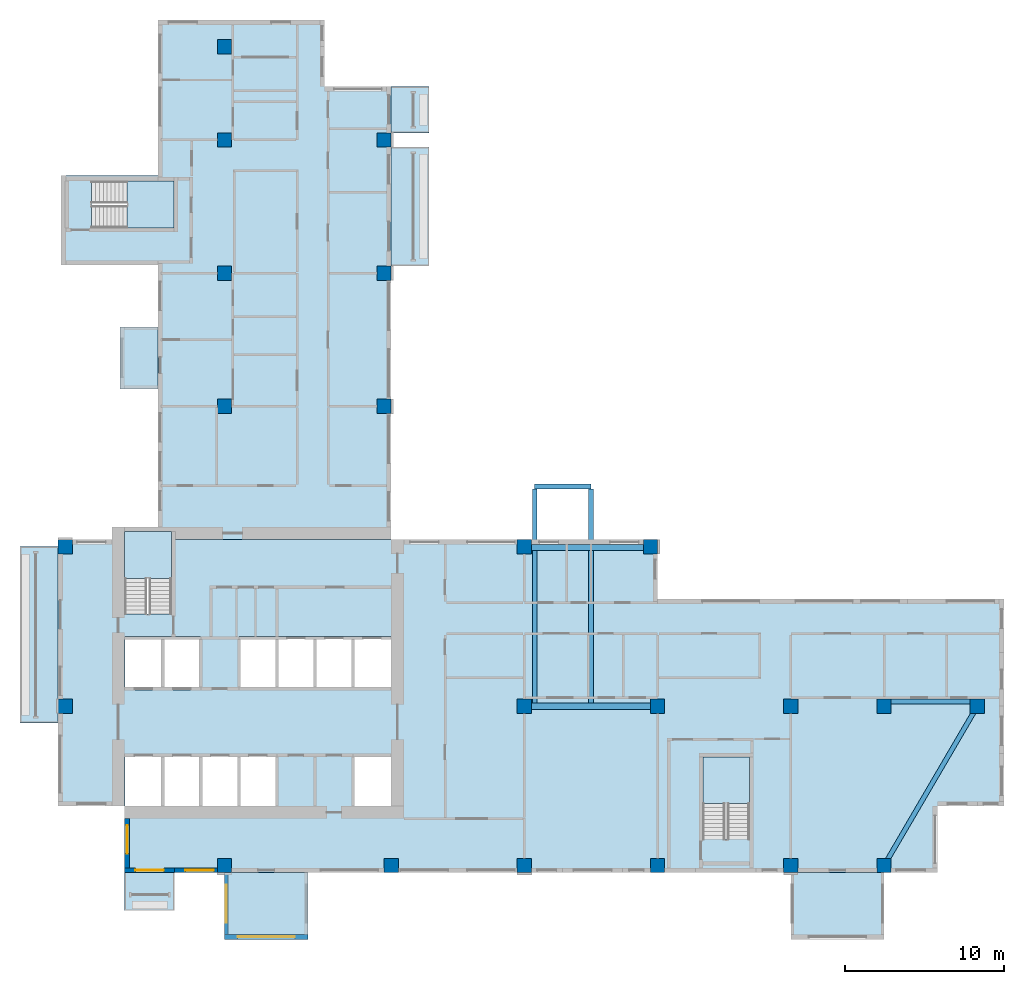
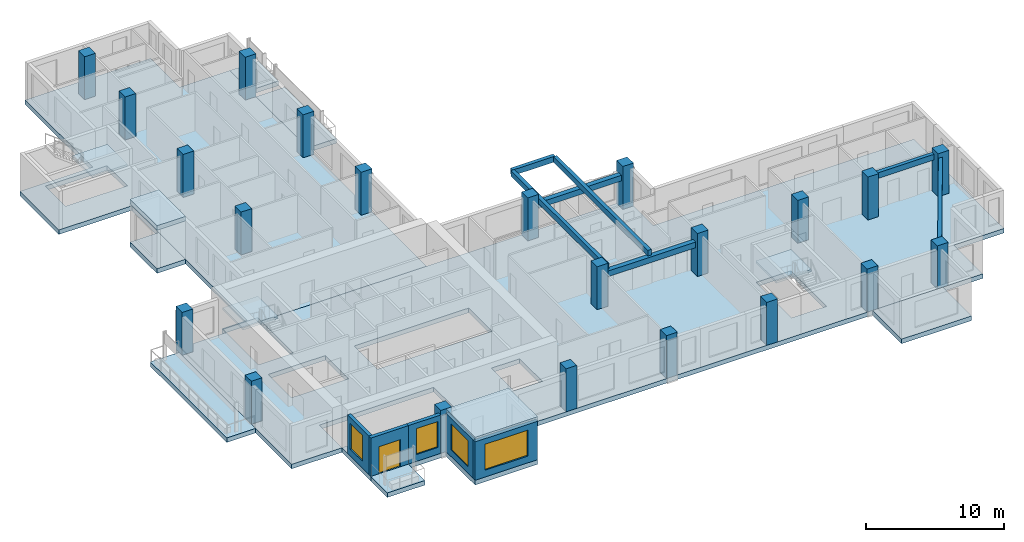
# One storey, part 1 of 12: 22 columns, 14 slabs, 5 beams, 5 walls, 4 windows, 2 members, 1 door, 5 openings, 3 elements without a shape of their own.
"""IFC4 building model written with IfcOpenShell, lengths in metres."""

from ifc_helpers import new_model, si_unit, direction, frame, frame_2d, origin, origin_2d, place, context, subcontext, project, spatial, polyline, rectangle, outline, extrude, source, transform, mapped, material, layer, layer_set, material_profile, profile_set, type_object, element, fill, aggregate, save


model = new_model("IFC4")

# Units and contexts
model_context = context("Model", 3, precision=1e-05, world=origin(), true_north=direction((0.0, 1.0)))
body_context = subcontext(model_context, "Body", "Model", "MODEL_VIEW")
ifc_project = project(units=[si_unit("LENGTHUNIT", "METRE"), si_unit("AREAUNIT", "SQUARE_METRE"), si_unit("VOLUMEUNIT", "CUBIC_METRE"), si_unit("PLANEANGLEUNIT", "RADIAN"), si_unit("MASSUNIT", "GRAM", prefix="KILO")], contexts=[model_context])

# Site, building, storey
site_placement = place(None, origin())
site = spatial("IfcSite", under=ifc_project, at=site_placement, CompositionType="ELEMENT")
building_placement = place(site_placement, origin())
building = spatial("IfcBuilding", under=site, at=building_placement, Name="Aurelian Terraces", CompositionType="ELEMENT")
storey_placement = place(building_placement, frame((0.0, 0.0, 200.6)))
storey = spatial("IfcBuildingStorey", under=building, at=storey_placement, Name="L44", CompositionType="ELEMENT", Elevation=200.6)

# Columns
ifc_material_1 = material(Name="Concrete fc' 70 MPa", Category="concrete")
ifc_material_profile_1 = material_profile(ifc_material_1, rectangle(XDim=0.9, YDim=0.9, at=origin_2d()))
ifc_profile_set_1 = profile_set([ifc_material_profile_1], Name="Concrete fc' 70 MPa")
column_type = type_object("IfcColumnType", Name="RC COLUMN 900X900 FC70", PredefinedType="COLUMN", material=ifc_profile_set_1)
shared_shape_1 = source(origin(), body_context, "Body", "SweptSolid", [
    extrude(rectangle(XDim=0.9, YDim=0.9, at=origin_2d()), origin(), (0.0, 0.0, 1.0), 3.8),
])
for number, where, z_axis, x_axis, name in (
    (1, (10.5, 0.45, 0.0), (0.0, 0.0, 1.0), (1.0, 0.0, 0.0), "Column 2/A L44"),
    (2, (21.0, 0.45, 0.0), (0.0, 0.0, 1.0), (1.0, 0.0, 0.0), "Column 3/A L44"),
    (3, (29.4, 0.45, 0.0), (0.0, 0.0, 1.0), (1.0, 0.0, 0.0), "Column 4/A L44"),
    (4, (37.8, 0.45, 0.0), (0.0, 0.0, 1.0), (1.0, 0.0, 0.0), "Column 5/A L44"),
    (5, (46.2, 0.45, 0.0), (0.0, 0.0, 1.0), (1.0, 0.0, 0.0), "Column 6/A L44"),
    (6, (52.08, 0.45, 0.0), (0.0, 0.0, 1.0), (1.0, 0.0, 0.0), "Column 7/A L44"),
    (7, (0.45, 10.5, 0.0), (0.0, 0.0, 1.0), (1.0, 0.0, 0.0), "Column 1/B L44"),
    (8, (29.4, 10.5, 0.0), (0.0, 0.0, 1.0), (1.0, 0.0, 0.0), "Column 4/B L44"),
    (9, (37.8, 10.5, 0.0), (0.0, 0.0, 1.0), (1.0, 0.0, 0.0), "Column 5/B L44"),
    (10, (46.2, 10.5, 0.0), (0.0, 0.0, 1.0), (1.0, 0.0, 0.0), "Column 6/B L44"),
    (11, (52.08, 10.5, 0.0), (0.0, 0.0, 1.0), (1.0, 0.0, 0.0), "Column 7/B L44"),
    (12, (57.96, 10.5, 0.0), (0.0, 0.0, 1.0), (1.0, 0.0, 0.0), "Column 8/B L44"),
    (13, (0.45, 20.55, 0.0), (0.0, 0.0, 1.0), (1.0, 0.0, 0.0), "Column 1/C L44"),
    (14, (29.4, 20.55, 0.0), (0.0, 0.0, 1.0), (1.0, 0.0, 0.0), "Column 4/C L44"),
    (15, (37.35, 20.55, 0.0), (0.0, 0.0, 1.0), (1.0, 0.0, 0.0), "Column 5/C L44"),
    (16, (10.5, 29.4, 0.0), (0.0, 0.0, 1.0), (1.0, 0.0, 0.0), "Column 2/D L44"),
    (17, (20.55, 29.4, 0.0), (0.0, 0.0, 1.0), (1.0, 0.0, 0.0), "Column 3/D L44"),
    (18, (10.5, 37.8, 0.0), (0.0, 0.0, 1.0), (1.0, 0.0, 0.0), "Column 2/E L44"),
    (19, (20.55, 37.8, 0.0), (0.0, 0.0, 1.0), (1.0, 0.0, 0.0), "Column 3/E L44"),
    (20, (10.5, 46.2, 0.0), (0.0, 0.0, 1.0), (1.0, 0.0, 0.0), "Column 2/F L44"),
    (21, (20.55, 46.2, 0.0), (0.0, 0.0, 1.0), (1.0, 0.0, 0.0), "Column 3/F L44"),
    (22, (10.5, 52.08, 0.0), (0.0, 0.0, 1.0), (1.0, 0.0, 0.0), "Column 2/G L44"),
):
    element("IfcColumn", number, at=place(storey_placement, frame(where, z_axis=z_axis, x_axis=x_axis)), inside=storey, type_object=column_type, Name=name, PredefinedType="COLUMN", context=body_context, shape_type="MappedRepresentation", body=[
        mapped(shared_shape_1, transform((0.0, 0.0, 0.0), scale=1.0)),
    ])

# Members
ifc_material_2 = material(Name="Concrete fc' 40 MPa", Category="concrete")
ifc_material_profile_2 = material_profile(ifc_material_2, rectangle(XDim=0.3, YDim=0.5, at=origin_2d()))
ifc_profile_set_2 = profile_set([ifc_material_profile_2], Name="Concrete fc' 40 MPa")
member_type = type_object("IfcMemberType", Name="CONCRETE EDGE BEAM 300X500", PredefinedType="MEMBER", material=ifc_profile_set_2)
member_1_placement = place(storey_placement, frame((57.51, 10.8, 3.15), z_axis=(-1.0, 0.0, 0.0), x_axis=(0.0, -1.0, 0.0)))
element("IfcMember", 23, at=member_1_placement, inside=storey, type_object=member_type, Name="Terrace edge member L45-X1", PredefinedType="MEMBER", context=body_context, shape_type="SweptSolid", body=[
    extrude(rectangle(XDim=0.3, YDim=0.5, at=origin_2d()), origin(), (0.0, 0.0, 1.0), 4.98),
])
member_2_placement = place(storey_placement, frame((57.7328, 10.1116, 3.15), z_axis=(-0.504997935879, -0.863120550536, 0.0), x_axis=(0.863120550536, -0.504997935879, 0.0)))
element("IfcMember", 24, at=member_2_placement, inside=storey, type_object=member_type, Name="Terrace edge member L45-X1.2", PredefinedType="MEMBER", context=body_context, shape_type="SweptSolid", body=[
    extrude(rectangle(XDim=0.3, YDim=0.5, at=origin_2d()), origin(), (0.0, 0.0, 1.0), 10.7438),
])

# Beams
ifc_material_profile_3 = material_profile(ifc_material_2, rectangle(XDim=0.3, YDim=0.5, at=origin_2d()))
ifc_profile_set_3 = profile_set([ifc_material_profile_3], Name="Concrete fc' 40 MPa")
beam_type_1 = type_object("IfcBeamType", Name="CONCRETE CANTILEVER BEAM 300X500", PredefinedType="BEAM", material=ifc_profile_set_3)
shared_shape_2 = source(origin(), body_context, "Body", "SweptSolid", [
    extrude(rectangle(XDim=0.3, YDim=0.5, at=origin_2d()), origin(), (0.0, 0.0, 1.0), 13.7),
])
for number, where, z_axis, x_axis, name in (
    (25, (30.05, 24.2, 3.15), (0.0, -1.0, 0.0), (1.0, 0.0, 0.0), "Box cantilever beam J63.1"),
    (26, (33.6, 24.2, 3.15), (0.0, -1.0, 0.0), (1.0, 0.0, 0.0), "Box cantilever beam J63.2"),
):
    element("IfcBeam", number, at=place(storey_placement, frame(where, z_axis=z_axis, x_axis=x_axis)), inside=storey, type_object=beam_type_1, Name=name, PredefinedType="BEAM", context=body_context, shape_type="MappedRepresentation", body=[
        mapped(shared_shape_2, transform((0.0, 0.0, 0.0), scale=1.0)),
    ])
ifc_material_profile_4 = material_profile(ifc_material_2, rectangle(XDim=0.4, YDim=0.5, at=origin_2d()))
ifc_profile_set_4 = profile_set([ifc_material_profile_4], Name="Concrete fc' 40 MPa")
beam_type_2 = type_object("IfcBeamType", Name="CONCRETE EDGE GIRDER 400X500", PredefinedType="BEAM", material=ifc_profile_set_4)
shared_shape_3 = source(origin(), body_context, "Body", "SweptSolid", [
    extrude(rectangle(XDim=0.4, YDim=0.5, at=origin_2d()), origin(), (0.0, 0.0, 1.0), 7.5),
])
beam_1_placement = place(storey_placement, frame((29.85, 10.5, 2.65), z_axis=(1.0, 0.0, 0.0), x_axis=(0.0, 1.0, 0.0)))
element("IfcBeam", 27, at=beam_1_placement, inside=storey, type_object=beam_type_2, Name="Box girder L44 I129", PredefinedType="BEAM", context=body_context, shape_type="MappedRepresentation", body=[
    mapped(shared_shape_3, transform((0.0, 0.0, 0.0), scale=1.0)),
])
shared_shape_4 = source(origin(), body_context, "Body", "SweptSolid", [
    extrude(rectangle(XDim=0.3, YDim=0.5, at=origin_2d()), origin(), (0.0, 0.0, 1.0), 3.55),
])
beam_2_placement = place(storey_placement, frame((30.05, 24.35, 3.15), z_axis=(1.0, 0.0, 0.0), x_axis=(0.0, 1.0, 0.0)))
element("IfcBeam", 28, at=beam_2_placement, inside=storey, type_object=beam_type_1, Name="Box tip beam J63", PredefinedType="BEAM", context=body_context, shape_type="MappedRepresentation", body=[
    mapped(shared_shape_4, transform((0.0, 0.0, 0.0), scale=1.0)),
])
shared_shape_5 = source(origin(), body_context, "Body", "SweptSolid", [
    extrude(rectangle(XDim=0.4, YDim=0.5, at=origin_2d()), origin(), (0.0, 0.0, 1.0), 7.05),
])
beam_3_placement = place(storey_placement, frame((29.85, 20.5, 2.65), z_axis=(1.0, 0.0, 0.0), x_axis=(0.0, 1.0, 0.0)))
element("IfcBeam", 29, at=beam_3_placement, inside=storey, type_object=beam_type_2, Name="Box girder L44 O128", PredefinedType="BEAM", context=body_context, shape_type="MappedRepresentation", body=[
    mapped(shared_shape_5, transform((0.0, 0.0, 0.0), scale=1.0)),
])

# Slabs
ifc_layer_1 = layer(ifc_material_2, 0.4)
ifc_layer_set_1 = layer_set([ifc_layer_1], Name="Balcony slab 400")
slab_type_1 = type_object("IfcSlabType", Name="Balcony slab 400", PredefinedType="NOTDEFINED", material=ifc_layer_set_1)
slab_1_placement = place(storey_placement, frame((0.0, 0.0, -0.4)))
element("IfcSlab", 30, at=slab_1_placement, inside=storey, type_object=slab_type_1, Name="Balcony slab L44 F08.21", PredefinedType="NOTDEFINED", context=body_context, shape_type="SweptSolid", body=[
    extrude(outline(polyline([(21.0, 38.25), (21.0, 45.75), (23.4, 45.75), (23.4, 38.25), (21.0, 38.25)])), origin(), (0.0, 0.0, 1.0), 0.4),
])
ifc_layer_2 = layer(ifc_material_2, 0.4)
ifc_layer_set_2 = layer_set([ifc_layer_2], Name="PT FLAT PLATE 400")
slab_type_2 = type_object("IfcSlabType", Name="PT FLAT PLATE 400", PredefinedType="FLOOR", material=ifc_layer_set_2)
shared_shape_6 = source(origin(), body_context, "Body", "SweptSolid", [
    extrude(outline(polyline([(0.2, 43.95), (6.3, 43.95), (6.3, 49.56), (6.3, 53.76), (10.5, 53.76), (16.8, 53.76), (16.8, 49.56), (21.0, 49.56), (21.0, 21.0), (7.14, 21.0), (7.14, 21.49), (4.21, 21.49), (4.21, 21.0), (4.2, 21.0), (4.2, 21.6), (6.3, 21.6), (6.3, 38.3), (0.2, 38.3), (0.2, 43.95)]), holes=[polyline([(7.29, 43.59), (2.11, 43.59), (2.11, 40.66), (7.29, 40.66), (7.29, 43.59)])]), origin(), (0.0, 0.0, 1.0), 0.4),
])
slab_2_placement = place(storey_placement, frame((0.0, 0.0, -0.4)))
element("IfcSlab", 31, at=slab_2_placement, inside=storey, type_object=slab_type_2, Name="Floor slab W L44", PredefinedType="FLOOR", context=body_context, shape_type="MappedRepresentation", body=[
    mapped(shared_shape_6, transform((0.0, 0.0, 0.0), scale=1.0)),
])
shared_shape_7 = source(origin(), body_context, "Body", "SweptSolid", [
    extrude(outline(polyline([(59.64, 4.2), (55.44, 4.2), (55.44, 0.0), (21.0, 0.0), (4.2, 0.0), (4.2, 4.2), (0.0, 4.2), (0.0, 21.0), (4.21, 21.0), (4.21, 16.31), (7.14, 16.31), (7.14, 21.0), (21.0, 21.0), (37.8, 21.0), (37.8, 17.25), (55.44, 17.25), (59.64, 17.25), (59.64, 16.8), (59.64, 16.65), (59.64, 4.2)]), holes=[polyline([(40.66, 2.11), (43.59, 2.11), (43.59, 7.29), (40.66, 7.29), (40.66, 2.11)]), polyline([(18.61, 7.49), (18.61, 4.21), (20.99, 4.21), (20.99, 7.49), (18.61, 7.49)]), polyline([(20.99, 14.89), (11.41, 14.89), (11.41, 11.51), (20.99, 11.51), (20.99, 14.89)]), polyline([(4.21, 7.49), (4.21, 4.21), (13.79, 4.21), (13.79, 7.49), (4.21, 7.49)]), polyline([(4.21, 14.89), (4.21, 11.51), (8.99, 11.51), (8.99, 14.89), (4.21, 14.89)])]), origin(), (0.0, 0.0, 1.0), 0.4),
])
slab_3_placement = place(storey_placement, frame((0.0, 0.0, -0.4)))
element("IfcSlab", 32, at=slab_3_placement, inside=storey, type_object=slab_type_2, Name="Floor slab S L44", PredefinedType="FLOOR", context=body_context, shape_type="MappedRepresentation", body=[
    mapped(shared_shape_7, transform((0.0, 0.0, 0.0), scale=1.0)),
])
ifc_layer_3 = layer(ifc_material_2, 0.41)
ifc_layer_set_3 = layer_set([ifc_layer_3], Name="Box floor 410")
slab_type_3 = type_object("IfcSlabType", Name="Box floor 410", PredefinedType="NOTDEFINED", material=ifc_layer_set_3)
shared_shape_8 = source(origin(), body_context, "Body", "SweptSolid", [
    extrude(outline(polyline([(46.2, -4.2), (52.08, -4.2), (52.08, 0.0), (46.2, 0.0), (46.2, -4.2)])), origin(), (0.0, 0.0, 1.0), 0.41),
])
slab_4_placement = place(storey_placement, frame((0.0, 0.0, -0.41)))
element("IfcSlab", 33, at=slab_4_placement, inside=storey, type_object=slab_type_3, Name="Box floor L44 J62", PredefinedType="NOTDEFINED", context=body_context, shape_type="MappedRepresentation", body=[
    mapped(shared_shape_8, transform((0.0, 0.0, 0.0), scale=1.0)),
])
shared_shape_9 = source(origin(), body_context, "Body", "SweptSolid", [
    extrude(outline(polyline([(3.9, 34.4), (3.9, 30.5), (6.3, 30.5), (6.3, 34.4), (3.9, 34.4)])), origin(), (0.0, 0.0, 1.0), 0.41),
])
slab_5_placement = place(storey_placement, frame((0.0, 0.0, -0.41)))
element("IfcSlab", 34, at=slab_5_placement, inside=storey, type_object=slab_type_3, Name="Box floor L44 J61", PredefinedType="NOTDEFINED", context=body_context, shape_type="MappedRepresentation", body=[
    mapped(shared_shape_9, transform((0.0, 0.0, 0.0), scale=1.0)),
])
ifc_layer_4 = layer(ifc_material_2, 0.4)
ifc_layer_set_4 = layer_set([ifc_layer_4], Name="Box roof 400")
slab_type_4 = type_object("IfcSlabType", Name="Box roof 400", PredefinedType="ROOF", material=ifc_layer_set_4)
shared_shape_10 = source(origin(), body_context, "Body", "SweptSolid", [
    extrude(outline(polyline([(3.9, 34.4), (3.9, 30.5), (6.3, 30.5), (6.3, 34.4), (3.9, 34.4)])), origin(), (0.0, 0.0, 1.0), 0.4),
])
slab_6_placement = place(storey_placement, frame((0.0, 0.0, 3.4)))
element("IfcSlab", 35, at=slab_6_placement, inside=storey, type_object=slab_type_4, Name="Box roof J61", PredefinedType="ROOF", context=body_context, shape_type="MappedRepresentation", body=[
    mapped(shared_shape_10, transform((0.0, 0.0, 0.0), scale=1.0)),
])
shared_shape_11 = source(origin(), body_context, "Body", "SweptSolid", [
    extrude(outline(polyline([(10.5, -4.2), (15.75, -4.2), (15.75, 0.0), (10.5, 0.0), (10.5, -4.2)])), origin(), (0.0, 0.0, 1.0), 0.41),
])
slab_7_placement = place(storey_placement, frame((0.0, 0.0, -0.41)))
element("IfcSlab", 36, at=slab_7_placement, inside=storey, type_object=slab_type_3, Name="Box floor L44 J60", PredefinedType="NOTDEFINED", context=body_context, shape_type="MappedRepresentation", body=[
    mapped(shared_shape_11, transform((0.0, 0.0, 0.0), scale=1.0)),
])
shared_shape_12 = source(origin(), body_context, "Body", "SweptSolid", [
    extrude(outline(polyline([(4.2, 0.0), (7.35, 0.0), (7.35, -2.4), (4.2, -2.4), (4.2, 0.0)])), origin(), (0.0, 0.0, 1.0), 0.4),
])
slab_8_placement = place(storey_placement, frame((0.0, 0.0, -0.4)))
element("IfcSlab", 37, at=slab_8_placement, inside=storey, type_object=slab_type_1, Name="Balcony slab L44 F01.1", PredefinedType="NOTDEFINED", context=body_context, shape_type="MappedRepresentation", body=[
    mapped(shared_shape_12, transform((0.0, 0.0, 0.0), scale=1.0)),
])
shared_shape_13 = source(origin(), body_context, "Body", "SweptSolid", [
    extrude(outline(polyline([(21.0, 46.65), (21.0, 49.56), (23.4, 49.56), (23.4, 46.65), (21.0, 46.65)])), origin(), (0.0, 0.0, 1.0), 0.4),
])
slab_9_placement = place(storey_placement, frame((0.0, 0.0, -0.4)))
element("IfcSlab", 38, at=slab_9_placement, inside=storey, type_object=slab_type_1, Name="Balcony slab L44 F08.22", PredefinedType="NOTDEFINED", context=body_context, shape_type="MappedRepresentation", body=[
    mapped(shared_shape_13, transform((0.0, 0.0, 0.0), scale=1.0)),
])
shared_shape_14 = source(origin(), body_context, "Body", "SweptSolid", [
    extrude(outline(polyline([(10.5, -4.2), (15.75, -4.2), (15.75, 0.0), (10.5, 0.0), (10.5, -4.2)])), origin(), (0.0, 0.0, 1.0), 0.4),
])
slab_10_placement = place(storey_placement, frame((0.0, 0.0, 3.4)))
element("IfcSlab", 39, at=slab_10_placement, inside=storey, type_object=slab_type_4, Name="Box roof J60", PredefinedType="ROOF", context=body_context, shape_type="MappedRepresentation", body=[
    mapped(shared_shape_14, transform((0.0, 0.0, 0.0), scale=1.0)),
])
shared_shape_15 = source(origin(), body_context, "Body", "SweptSolid", [
    extrude(outline(polyline([(0.0, 20.55), (0.0, 9.45), (-2.4, 9.45), (-2.4, 20.55), (0.0, 20.55)])), origin(), (0.0, 0.0, 1.0), 0.4),
])
slab_11_placement = place(storey_placement, frame((0.0, 0.0, -0.4)))
element("IfcSlab", 40, at=slab_11_placement, inside=storey, type_object=slab_type_1, Name="Balcony slab L44 F20.35", PredefinedType="NOTDEFINED", context=body_context, shape_type="MappedRepresentation", body=[
    mapped(shared_shape_15, transform((0.0, 0.0, 0.0), scale=1.0)),
])

# Stair, slab
stair_type = type_object("IfcStairType", Name="Stair 1400", PredefinedType="HALF_TURN_STAIR", material=ifc_material_2)
stair_1_placement = place(storey_placement, origin())
stair_1 = element("IfcStair", 41, at=stair_1_placement, inside=storey, type_object=stair_type, Name="L44 S1", PredefinedType="HALF_TURN_STAIR")
ifc_layer_5 = layer(ifc_material_2, 0.2)
ifc_layer_set_5 = layer_set([ifc_layer_5], Name="Stair landing 200")
slab_type_5 = type_object("IfcSlabType", Name="Stair landing 200", PredefinedType="LANDING", material=ifc_layer_set_5)
shared_shape_16 = source(origin(), body_context, "Body", "SweptSolid", [
    extrude(outline(polyline([(7.15, 18.55), (7.15, 21.5), (4.2, 21.5), (4.2, 18.55), (7.15, 18.55)])), origin(), (0.0, 0.0, 1.0), 0.2),
])
slab_12_placement = place(storey_placement, frame((0.0, 0.0, 1.7)))
slab_12 = element("IfcSlab", 42, at=slab_12_placement, type_object=slab_type_5, Name="S1 landing 1", PredefinedType="LANDING", context=body_context, shape_type="MappedRepresentation", body=[
    mapped(shared_shape_16, transform((0.0, 0.0, 0.0), scale=1.0)),
])
aggregate(stair_1, [slab_12])

stair_2_placement = place(storey_placement, origin())
stair_2 = element("IfcStair", 43, at=stair_2_placement, inside=storey, type_object=stair_type, Name="L44 S2", PredefinedType="HALF_TURN_STAIR")
shared_shape_17 = source(origin(), body_context, "Body", "SweptSolid", [
    extrude(outline(polyline([(43.6, 4.35), (43.6, 7.3), (40.65, 7.3), (40.65, 4.35), (43.6, 4.35)])), origin(), (0.0, 0.0, 1.0), 0.2),
])
slab_13_placement = place(storey_placement, frame((0.0, 0.0, 1.7)))
slab_13 = element("IfcSlab", 44, at=slab_13_placement, type_object=slab_type_5, Name="S2 landing 1", PredefinedType="LANDING", context=body_context, shape_type="MappedRepresentation", body=[
    mapped(shared_shape_17, transform((0.0, 0.0, 0.0), scale=1.0)),
])
aggregate(stair_2, [slab_13])

stair_3_placement = place(storey_placement, origin())
stair_3 = element("IfcStair", 45, at=stair_3_placement, inside=storey, type_object=stair_type, Name="L44 S3", PredefinedType="HALF_TURN_STAIR")
shared_shape_18 = source(origin(), body_context, "Body", "SweptSolid", [
    extrude(outline(polyline([(4.35, 40.65), (7.3, 40.65), (7.3, 43.6), (4.35, 43.6), (4.35, 40.65)])), origin(), (0.0, 0.0, 1.0), 0.2),
])
slab_14_placement = place(storey_placement, frame((0.0, 0.0, 1.7)))
slab_14 = element("IfcSlab", 46, at=slab_14_placement, type_object=slab_type_5, Name="S3 landing 1", PredefinedType="LANDING", context=body_context, shape_type="MappedRepresentation", body=[
    mapped(shared_shape_18, transform((0.0, 0.0, 0.0), scale=1.0)),
])
aggregate(stair_3, [slab_14])

# Wall, opening, window
ifc_material_3 = material(Name="Terracotta rainscreen cladding", Category="masonry")
ifc_layer_6 = layer(ifc_material_3, 0.3)
ifc_layer_set_6 = layer_set([ifc_layer_6], Name="EW-300")
wall_type_1 = type_object("IfcWallType", Name="EW-300", PredefinedType="STANDARD", material=ifc_layer_set_6)
shared_shape_19 = source(origin(), body_context, "Body", "SweptSolid", [
    extrude(rectangle(XDim=3.4, YDim=0.3, at=frame_2d((1.7, 0.0))), origin(), (0.0, 0.0, 1.0), 3.4),
])
wall_1_placement = place(storey_placement, frame((4.35, 3.4, 0.0), z_axis=(0.0, 0.0, 1.0), x_axis=(0.0, -1.0, 0.0)))
wall_1 = element("IfcWall", 47, at=wall_1_placement, inside=storey, type_object=wall_type_1, Name="External wall L44 F22.38", PredefinedType="STANDARD", context=body_context, shape_type="MappedRepresentation", body=[
    mapped(shared_shape_19, transform((0.0, 0.0, 0.0), scale=1.0)),
])
shared_shape_20 = source(origin(), body_context, "Body", "SweptSolid", [
    extrude(rectangle(XDim=1.8, YDim=2.3, at=frame_2d((0.9, 1.15))), frame((0.0, 0.16, 0.0), z_axis=(0.0, -1.0, 0.0), x_axis=(1.0, 0.0, 0.0)), (0.0, 0.0, 1.0), 0.32),
])
opening_1_placement = place(wall_1_placement, frame((0.4, 0.0, 0.6)))
opening_1 = element("IfcOpeningElement", 48, at=opening_1_placement, cuts=wall_1, Name="Opening W1823", PredefinedType="OPENING", context=body_context, shape_type="MappedRepresentation", body=[
    mapped(shared_shape_20, transform((0.0, 0.0, 0.0), scale=1.0)),
])
ifc_material_4 = material(Name="Clear glazing", Category="glass")
window_type_1 = type_object("IfcWindowType", Name="W-1800x2300", PartitioningType="SINGLE_PANEL", PredefinedType="WINDOW", material=ifc_material_4)
shared_shape_21 = source(origin(), body_context, "Body", "SweptSolid", [
    extrude(rectangle(XDim=1.8, YDim=2.3, at=frame_2d((0.9, 1.15))), frame((0.0, 0.03, 0.0), z_axis=(0.0, -1.0, 0.0), x_axis=(1.0, 0.0, 0.0)), (0.0, 0.0, 1.0), 0.06),
])
window_1_placement = place(opening_1_placement, origin())
window_1 = element("IfcWindow", 49, at=window_1_placement, inside=storey, type_object=window_type_1, Name="Window L44 L44-F22-38-0", OverallHeight=2.3, OverallWidth=1.8, PartitioningType="SINGLE_PANEL", PredefinedType="WINDOW", context=body_context, shape_type="MappedRepresentation", body=[
    mapped(shared_shape_21, transform((0.0, 0.0, 0.0), scale=1.0)),
])
fill(opening_1, window_1)

ifc_layer_7 = layer(ifc_material_2, 0.2)
ifc_layer_set_7 = layer_set([ifc_layer_7], Name="BOX BEARING WALL 200")
wall_type_2 = type_object("IfcWallType", Name="BOX BEARING WALL 200", PredefinedType="SOLIDWALL", material=ifc_layer_set_7)
shared_shape_22 = source(origin(), body_context, "Body", "SweptSolid", [
    extrude(rectangle(XDim=3.9, YDim=0.2, at=frame_2d((1.95, 0.0))), origin(), (0.0, 0.0, 1.0), 3.4),
])
wall_2_placement = place(storey_placement, frame((10.6, 0.0, 0.0), z_axis=(0.0, 0.0, 1.0), x_axis=(0.0, -1.0, 0.0)))
wall_2 = element("IfcWall", 50, at=wall_2_placement, inside=storey, type_object=wall_type_2, Name="Box return L44 J60.1", PredefinedType="SOLIDWALL", context=body_context, shape_type="MappedRepresentation", body=[
    mapped(shared_shape_22, transform((0.0, 0.0, 0.0), scale=1.0)),
])
shared_shape_23 = source(origin(), body_context, "Body", "SweptSolid", [
    extrude(rectangle(XDim=2.4, YDim=2.3, at=frame_2d((1.2, 1.15))), frame((0.0, 0.11, 0.0), z_axis=(0.0, -1.0, 0.0), x_axis=(1.0, 0.0, 0.0)), (0.0, 0.0, 1.0), 0.22),
])
opening_2_placement = place(wall_2_placement, frame((0.75, 0.0, 0.6)))
opening_2 = element("IfcOpeningElement", 51, at=opening_2_placement, cuts=wall_2, Name="Opening W2423", PredefinedType="OPENING", context=body_context, shape_type="MappedRepresentation", body=[
    mapped(shared_shape_23, transform((0.0, 0.0, 0.0), scale=1.0)),
])
window_type_2 = type_object("IfcWindowType", Name="W-2400x2300", PartitioningType="SINGLE_PANEL", PredefinedType="WINDOW", material=ifc_material_4)
shared_shape_24 = source(origin(), body_context, "Body", "SweptSolid", [
    extrude(rectangle(XDim=2.4, YDim=2.3, at=frame_2d((1.2, 1.15))), frame((0.0, 0.03, 0.0), z_axis=(0.0, -1.0, 0.0), x_axis=(1.0, 0.0, 0.0)), (0.0, 0.0, 1.0), 0.06),
])
window_2_placement = place(opening_2_placement, origin())
window_2 = element("IfcWindow", 52, at=window_2_placement, inside=storey, type_object=window_type_2, Name="Window L44 J60-S1", OverallHeight=2.3, OverallWidth=2.4, PartitioningType="SINGLE_PANEL", PredefinedType="WINDOW", context=body_context, shape_type="MappedRepresentation", body=[
    mapped(shared_shape_24, transform((0.0, 0.0, 0.0), scale=1.0)),
])
fill(opening_2, window_2)

# Wall, opening, door
shared_shape_25 = source(origin(), body_context, "Body", "SweptSolid", [
    extrude(rectangle(XDim=3.15, YDim=0.3, at=frame_2d((1.575, 0.0))), origin(), (0.0, 0.0, 1.0), 3.4),
])
wall_3_placement = place(storey_placement, frame((4.2, 0.15, 0.0), z_axis=(0.0, 0.0, 1.0), x_axis=(1.0, 0.0, 0.0)))
wall_3 = element("IfcWall", 53, at=wall_3_placement, inside=storey, type_object=wall_type_1, Name="External wall L44 F01.1", PredefinedType="STANDARD", context=body_context, shape_type="MappedRepresentation", body=[
    mapped(shared_shape_25, transform((0.0, 0.0, 0.0), scale=1.0)),
])
shared_shape_26 = source(origin(), body_context, "Body", "SweptSolid", [
    extrude(rectangle(XDim=1.8, YDim=2.4, at=frame_2d((0.9, 1.2))), frame((0.0, 0.16, 0.0), z_axis=(0.0, -1.0, 0.0), x_axis=(1.0, 0.0, 0.0)), (0.0, 0.0, 1.0), 0.32),
])
opening_3_placement = place(wall_3_placement, frame((0.675, 0.0, 0.0)))
opening_3 = element("IfcOpeningElement", 54, at=opening_3_placement, cuts=wall_3, Name="Opening 84401", PredefinedType="OPENING", context=body_context, shape_type="MappedRepresentation", body=[
    mapped(shared_shape_26, transform((0.0, 0.0, 0.0), scale=1.0)),
])
door_type = type_object("IfcDoorType", Name="BD-1800x2400", OperationType="SLIDING_TO_LEFT", PredefinedType="DOOR", material=ifc_material_4)
shared_shape_27 = source(origin(), body_context, "Body", "SweptSolid", [
    extrude(rectangle(XDim=1.8, YDim=2.4, at=frame_2d((0.9, 1.2))), frame((0.0, 0.025, 0.0), z_axis=(0.0, -1.0, 0.0), x_axis=(1.0, 0.0, 0.0)), (0.0, 0.0, 1.0), 0.05),
])
door_placement = place(opening_3_placement, origin())
door = element("IfcDoor", 55, at=door_placement, inside=storey, type_object=door_type, Name="Balcony door L44 F01.1", OperationType="SLIDING_TO_LEFT", OverallHeight=2.4, OverallWidth=1.8, PredefinedType="DOOR", context=body_context, shape_type="MappedRepresentation", body=[
    mapped(shared_shape_27, transform((0.0, 0.0, 0.0), scale=1.0)),
])
fill(opening_3, door)

# Wall, opening, window
shared_shape_28 = source(origin(), body_context, "Body", "SweptSolid", [
    extrude(rectangle(XDim=2.7, YDim=0.3, at=frame_2d((1.35, 0.0))), origin(), (0.0, 0.0, 1.0), 3.4),
])
wall_4_placement = place(storey_placement, frame((7.35, 0.15, 0.0), z_axis=(0.0, 0.0, 1.0), x_axis=(1.0, 0.0, 0.0)))
wall_4 = element("IfcWall", 56, at=wall_4_placement, inside=storey, type_object=wall_type_1, Name="External wall L44 F01.2", PredefinedType="STANDARD", context=body_context, shape_type="MappedRepresentation", body=[
    mapped(shared_shape_28, transform((0.0, 0.0, 0.0), scale=1.0)),
])
opening_4_placement = place(wall_4_placement, frame((0.675, 0.0, 0.6)))
opening_4 = element("IfcOpeningElement", 57, at=opening_4_placement, cuts=wall_4, Name="Opening W1823", PredefinedType="OPENING", context=body_context, shape_type="MappedRepresentation", body=[
    mapped(shared_shape_20, transform((0.0, 0.0, 0.0), scale=1.0)),
])
window_3_placement = place(opening_4_placement, origin())
window_3 = element("IfcWindow", 58, at=window_3_placement, inside=storey, type_object=window_type_1, Name="Window L44 L44-F01-02-0", OverallHeight=2.3, OverallWidth=1.8, PartitioningType="SINGLE_PANEL", PredefinedType="WINDOW", context=body_context, shape_type="MappedRepresentation", body=[
    mapped(shared_shape_21, transform((0.0, 0.0, 0.0), scale=1.0)),
])
fill(opening_4, window_3)

ifc_layer_8 = layer(ifc_material_2, 0.3)
ifc_layer_set_8 = layer_set([ifc_layer_8], Name="BOX BEARING WALL 300")
wall_type_3 = type_object("IfcWallType", Name="BOX BEARING WALL 300", PredefinedType="SOLIDWALL", material=ifc_layer_set_8)
shared_shape_29 = source(origin(), body_context, "Body", "SweptSolid", [
    extrude(rectangle(XDim=5.25, YDim=0.3, at=frame_2d((2.625, 0.0))), origin(), (0.0, 0.0, 1.0), 3.4),
])
wall_5_placement = place(storey_placement, frame((10.5, -4.05, 0.0), z_axis=(0.0, 0.0, 1.0), x_axis=(1.0, 0.0, 0.0)))
wall_5 = element("IfcWall", 59, at=wall_5_placement, inside=storey, type_object=wall_type_3, Name="Box wall L44 J60", PredefinedType="SOLIDWALL", context=body_context, shape_type="MappedRepresentation", body=[
    mapped(shared_shape_29, transform((0.0, 0.0, 0.0), scale=1.0)),
])
shared_shape_30 = source(origin(), body_context, "Body", "SweptSolid", [
    extrude(rectangle(XDim=3.6, YDim=2.3, at=frame_2d((1.8, 1.15))), frame((0.0, 0.16, 0.0), z_axis=(0.0, -1.0, 0.0), x_axis=(1.0, 0.0, 0.0)), (0.0, 0.0, 1.0), 0.32),
])
opening_5_placement = place(wall_5_placement, frame((0.825, 0.0, 0.6)))
opening_5 = element("IfcOpeningElement", 60, at=opening_5_placement, cuts=wall_5, Name="Opening W3623", PredefinedType="OPENING", context=body_context, shape_type="MappedRepresentation", body=[
    mapped(shared_shape_30, transform((0.0, 0.0, 0.0), scale=1.0)),
])
window_type_3 = type_object("IfcWindowType", Name="W-3600x2300", PartitioningType="SINGLE_PANEL", PredefinedType="WINDOW", material=ifc_material_4)
shared_shape_31 = source(origin(), body_context, "Body", "SweptSolid", [
    extrude(rectangle(XDim=3.6, YDim=2.3, at=frame_2d((1.8, 1.15))), frame((0.0, 0.03, 0.0), z_axis=(0.0, -1.0, 0.0), x_axis=(1.0, 0.0, 0.0)), (0.0, 0.0, 1.0), 0.06),
])
window_4_placement = place(opening_5_placement, origin())
window_4 = element("IfcWindow", 61, at=window_4_placement, inside=storey, type_object=window_type_3, Name="Window L44 J60-F1", OverallHeight=2.3, OverallWidth=3.6, PartitioningType="SINGLE_PANEL", PredefinedType="WINDOW", context=body_context, shape_type="MappedRepresentation", body=[
    mapped(shared_shape_31, transform((0.0, 0.0, 0.0), scale=1.0)),
])
fill(opening_5, window_4)

save(model, "model.ifc")
